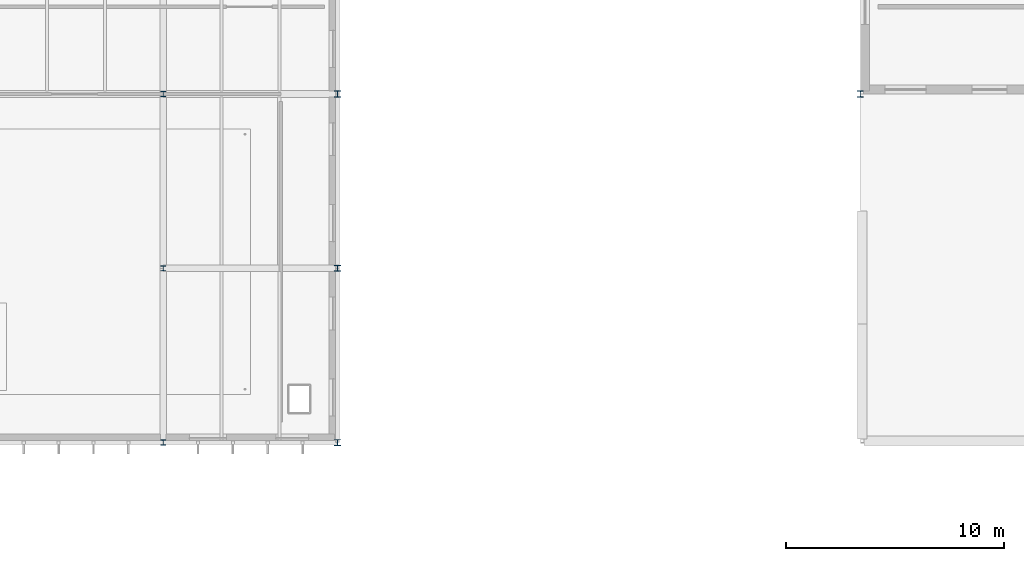
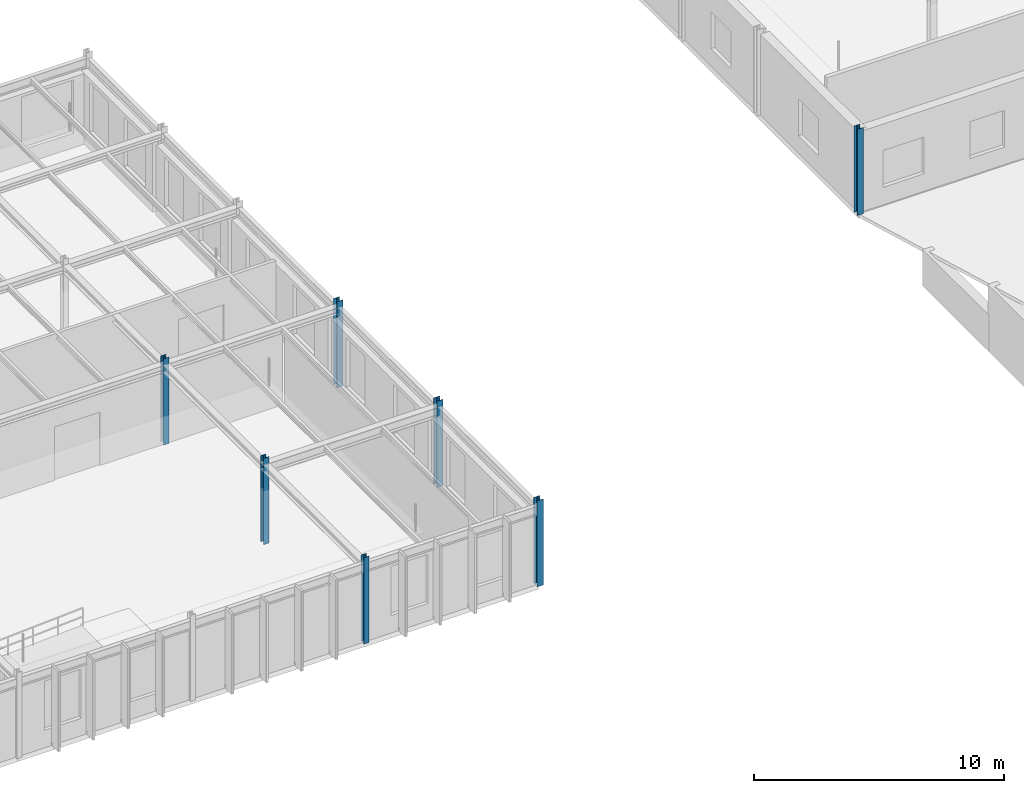
# One storey, part 10 of 124: 7 columns.
"""IFC4 building model written with IfcOpenShell, lengths in metres."""

from ifc_helpers import new_model, si_unit, direction, frame, origin, origin_2d, place, context, subcontext, project, spatial, i_section, extrude, material, material_profile, profile_set, type_object, element, save


model = new_model("IFC4")

# Units and contexts
model_context = context("Model", 3, precision=1e-05, world=origin(), true_north=direction((0.0, 1.0)))
body_context = subcontext(model_context, "Body", "Model", "MODEL_VIEW")
ifc_project = project(units=[si_unit("LENGTHUNIT", "METRE"), si_unit("AREAUNIT", "SQUARE_METRE"), si_unit("VOLUMEUNIT", "CUBIC_METRE"), si_unit("PLANEANGLEUNIT", "RADIAN"), si_unit("MASSUNIT", "GRAM", prefix="KILO")], contexts=[model_context])

# Site, building, storey
site_placement = place(None, origin())
site = spatial("IfcSite", under=ifc_project, at=site_placement, CompositionType="ELEMENT")
building_placement = place(site_placement, origin())
building = spatial("IfcBuilding", under=site, at=building_placement, Name="Sundkrona Museum", CompositionType="ELEMENT")
storey_placement = place(building_placement, frame((0.0, 0.0, 17.60009765625)))
storey = spatial("IfcBuildingStorey", under=building, at=storey_placement, Name="L03", CompositionType="ELEMENT", Elevation=17.60009765625)

# Columns
ifc_material = material(Name="Steel S355J2", Category="steel")
ifc_material_profile_1 = material_profile(ifc_material, i_section(OverallWidth=0.239990234375, OverallDepth=0.239990234375, WebThickness=0.010009765625, FlangeThickness=0.01708984375, FilletRadius=0.02099609375, at=origin_2d()), Name="HEB 240")
ifc_profile_set_1 = profile_set([ifc_material_profile_1], Name="Steel S355J2")
column_type_1 = type_object("IfcColumnType", Name="C-HEB240", PredefinedType="COLUMN", material=ifc_profile_set_1)
for number, where, z_axis, x_axis, name in (
    (1, (72.0, 78.0, 0.0), (0.0, 0.0, 1.0), (1.0, 0.0, 0.0), "L03 Column L/10"),
    (2, (72.0, 86.0, 0.0), (0.0, 0.0, 1.0), (1.0, 0.0, 0.0), "L03 Column M/10"),
    (3, (72.0, 94.0, 0.0), (0.0, 0.0, 1.0), (1.0, 0.0, 0.0), "L03 Column N/10"),
):
    element("IfcColumn", number, at=place(storey_placement, frame(where, z_axis=z_axis, x_axis=x_axis)), inside=storey, type_object=column_type_1, Name=name, PredefinedType="COLUMN", context=body_context, shape_type="SweptSolid", body=[
        extrude(i_section(OverallWidth=0.239990234375, OverallDepth=0.239990234375, WebThickness=0.010009765625, FlangeThickness=0.01708984375, FilletRadius=0.02099609375, at=origin_2d()), origin(), (0.0, 0.0, 1.0), 4.199951171875),
    ])
ifc_material_profile_2 = material_profile(ifc_material, i_section(OverallWidth=0.280029296875, OverallDepth=0.280029296875, WebThickness=0.010498046875, FlangeThickness=0.01806640625, FilletRadius=0.02392578125, at=origin_2d()), Name="HEB 280")
ifc_profile_set_2 = profile_set([ifc_material_profile_2], Name="Steel S355J2")
column_type_2 = type_object("IfcColumnType", Name="C-HEB280", PredefinedType="COLUMN", material=ifc_profile_set_2)
for number, where, z_axis, x_axis, name in (
    (4, (80.0, 78.0, 0.0), (0.0, 0.0, 1.0), (1.0, 0.0, 0.0), "L03 Column L/11"),
    (5, (80.0, 86.0, 0.0), (0.0, 0.0, 1.0), (1.0, 0.0, 0.0), "L03 Column M/11"),
    (6, (80.0, 94.0, 0.0), (0.0, 0.0, 1.0), (1.0, 0.0, 0.0), "L03 Column N/11"),
    (7, (104.0, 94.0, 0.0), (0.0, 0.0, 1.0), (1.0, 0.0, 0.0), "L03 Column N/14"),
):
    element("IfcColumn", number, at=place(storey_placement, frame(where, z_axis=z_axis, x_axis=x_axis)), inside=storey, type_object=column_type_2, Name=name, PredefinedType="COLUMN", context=body_context, shape_type="SweptSolid", body=[
        extrude(i_section(OverallWidth=0.280029296875, OverallDepth=0.280029296875, WebThickness=0.010498046875, FlangeThickness=0.01806640625, FilletRadius=0.02392578125, at=origin_2d()), origin(), (0.0, 0.0, 1.0), 4.199951171875),
    ])

save(model, "model.ifc")
